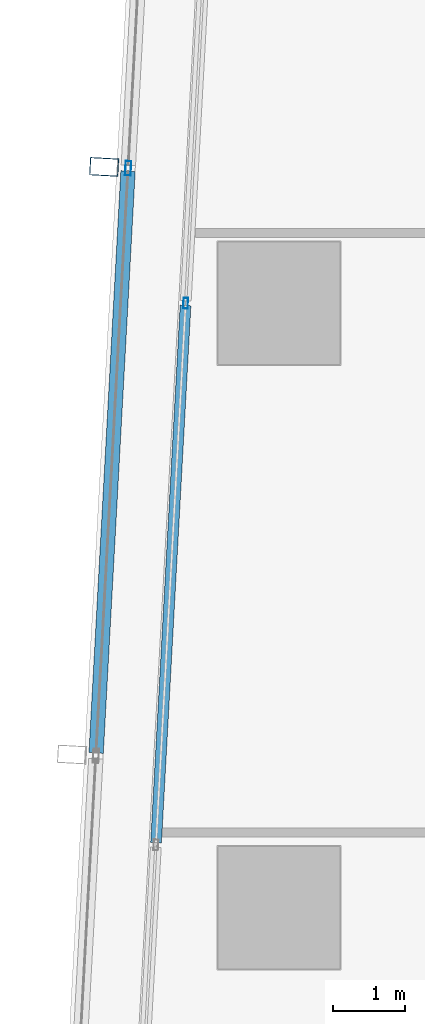
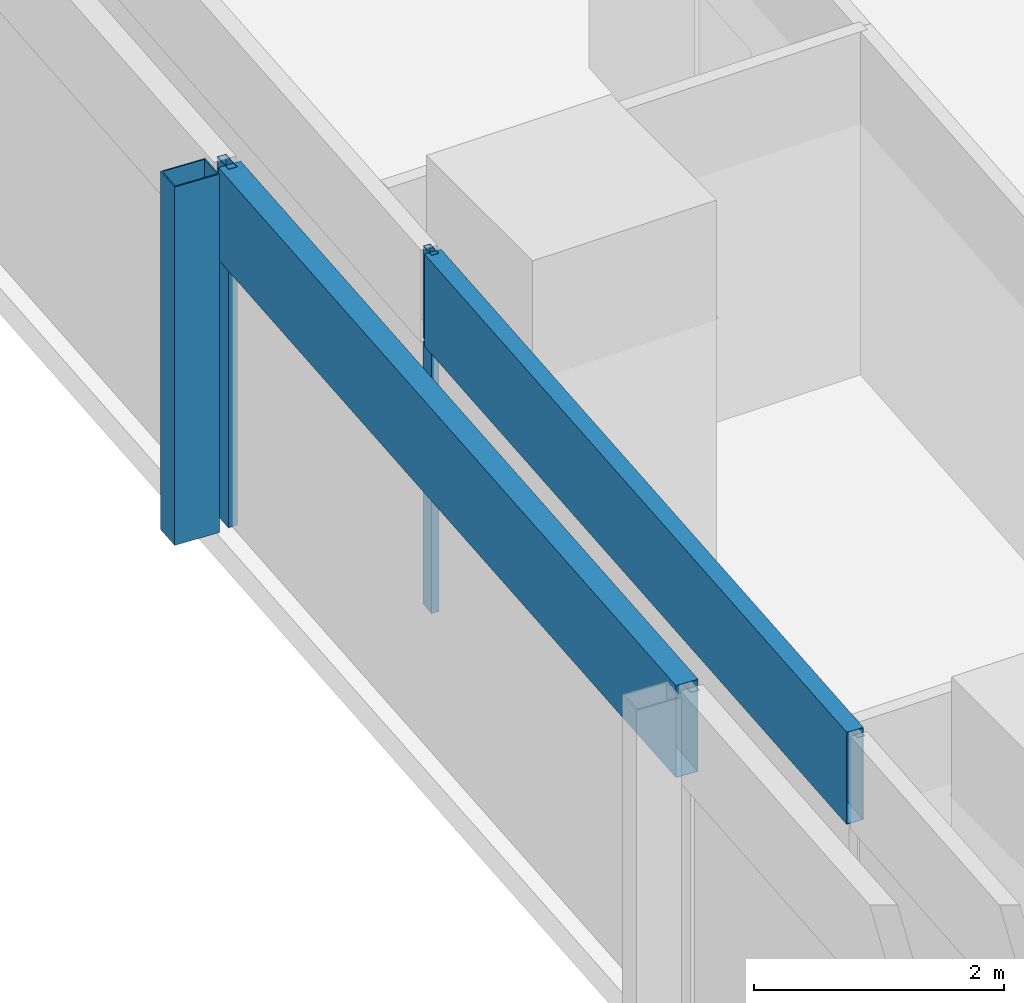
# One storey, part 14 of 40: 5 members, 2 elements without a shape of their own.
"""IFC4 building model written with IfcOpenShell, lengths in metres."""

from ifc_helpers import new_model, si_unit, direction, frame, origin, origin_2d, place, context, subcontext, project, spatial, hollow_rectangle, extrude, material, material_profile, profile_set, type_object, element, aggregate, save


model = new_model("IFC4")

# Units and contexts
model_context = context("Model", 3, precision=1e-05, world=origin(), true_north=direction((0.0, 1.0)))
body_context = subcontext(model_context, "Body", "Model", "MODEL_VIEW")
ifc_project = project(units=[si_unit("LENGTHUNIT", "METRE"), si_unit("AREAUNIT", "SQUARE_METRE"), si_unit("VOLUMEUNIT", "CUBIC_METRE"), si_unit("PLANEANGLEUNIT", "RADIAN"), si_unit("MASSUNIT", "GRAM", prefix="KILO")], contexts=[model_context])

# Site, building, storey
site_placement = place(None, origin())
site = spatial("IfcSite", under=ifc_project, at=site_placement, CompositionType="ELEMENT")
building_placement = place(site_placement, origin())
building = spatial("IfcBuilding", under=site, at=building_placement, Name="Rekha Terrace Tower", CompositionType="ELEMENT")
storey_placement = place(building_placement, frame((0.0, 0.0, 102.800048828125)))
storey = spatial("IfcBuildingStorey", under=building, at=storey_placement, Name="L25", CompositionType="ELEMENT", Elevation=102.800048828125)

# Curtain wall, member
ifc_material_1 = material(Name="Aluminium framing", Category="aluminium")
curtain_wall_type_1 = type_object("IfcCurtainWallType", Name="CW2 double skin outer glazing", PredefinedType="USERDEFINED", material=ifc_material_1)
curtain_wall_1_placement = place(storey_placement, origin())
curtain_wall_1 = element("IfcCurtainWall", 1, at=curtain_wall_1_placement, inside=storey, type_object=curtain_wall_type_1, Name="CW2 double skin outer glazing", ObjectType="DOUBLE SKIN OUTER GLAZING", PredefinedType="USERDEFINED")
ifc_material_2 = material(Name="Steel S355 with fluorocarbon finish", Category="steel")
ifc_material_profile_1 = material_profile(ifc_material_2, hollow_rectangle(XDim=0.25, YDim=0.39990234375, WallThickness=0.012451171875, at=origin_2d()), Name="RHS400x250x12.5")
ifc_profile_set_1 = profile_set([ifc_material_profile_1], Name="Steel S355 with fluorocarbon finish")
member_type_1 = type_object("IfcMemberType", Name="BL1 facade blade RHS 400 x 250", PredefinedType="USERDEFINED", material=ifc_profile_set_1)
member_1_placement = place(storey_placement, frame((5.969482421875, 52.29638671875, 0.0), z_axis=(0.0, 0.0, 1.0), x_axis=(-0.054742798353, -0.998500488747, 0.0)))
member_1 = element("IfcMember", 2, at=member_1_placement, type_object=member_type_1, Name="Facade blade", ObjectType="FACADE BLADE", PredefinedType="USERDEFINED", context=body_context, shape_type="SweptSolid", body=[
    extrude(hollow_rectangle(XDim=0.25, YDim=0.39990234375, WallThickness=0.012451171875, at=origin_2d()), origin(), (0.0, 0.0, 1.0), 3.5),
])

# Curtain wall, members
curtain_wall_type_2 = type_object("IfcCurtainWallType", Name="CW1 double skin inner glazing", PredefinedType="USERDEFINED", material=ifc_material_1)
curtain_wall_2_placement = place(storey_placement, origin())
curtain_wall_2 = element("IfcCurtainWall", 3, at=curtain_wall_2_placement, inside=storey, type_object=curtain_wall_type_2, Name="CW1 double skin inner glazing", ObjectType="DOUBLE SKIN INNER GLAZING", PredefinedType="USERDEFINED")
ifc_material_3 = material(Name="Aluminium mullion section", Category="aluminium")
ifc_material_profile_2 = material_profile(ifc_material_3, hollow_rectangle(XDim=0.06494140625, YDim=0.14990234375, WallThickness=0.00390625, at=origin_2d()), Name="AL RHS 65x150")
ifc_profile_set_2 = profile_set([ifc_material_profile_2], Name="Aluminium mullion section")
member_type_2 = type_object("IfcMemberType", Name="CW1 mullion RHS 65 x 150", PredefinedType="MULLION", material=ifc_profile_set_2)
member_2_placement = place(storey_placement, frame((7.1025390625, 50.40234375, 0.0), z_axis=(0.0, 0.0, 1.0), x_axis=(0.99850051318, -0.054742352707, 0.0)))
member_2 = element("IfcMember", 4, at=member_2_placement, type_object=member_type_2, Name="CW1 mullion 2", PredefinedType="MULLION", context=body_context, shape_type="SweptSolid", body=[
    extrude(hollow_rectangle(XDim=0.06494140625, YDim=0.14990234375, WallThickness=0.00390625, at=origin_2d()), origin(), (0.0, 0.0, 1.0), 3.5),
])
ifc_material_4 = material(Name="Insulated aluminium spandrel box", Category="aluminium")
ifc_material_profile_3 = material_profile(ifc_material_4, hollow_rectangle(XDim=0.14990234375, YDim=0.89990234375, WallThickness=0.0029296875, at=origin_2d()), Name="AL SPANDREL BOX 150x900")
ifc_profile_set_3 = profile_set([ifc_material_profile_3], Name="Insulated aluminium spandrel box")
member_type_3 = type_object("IfcMemberType", Name="CW1 spandrel transom 150 x 900", PredefinedType="USERDEFINED", material=ifc_profile_set_3)
member_3_placement = place(storey_placement, frame((7.100830078125, 50.369873046875, 3.050048828125), z_axis=(-0.054764629515, -0.998499291614, 0.0), x_axis=(0.998499291614, -0.054764629515, 0.0)))
member_3 = element("IfcMember", 5, at=member_3_placement, type_object=member_type_3, Name="CW1 spandrel transom 2", ObjectType="TRANSOM", PredefinedType="USERDEFINED", context=body_context, shape_type="SweptSolid", body=[
    extrude(hollow_rectangle(XDim=0.14990234375, YDim=0.89990234375, WallThickness=0.0029296875, at=origin_2d()), origin(), (0.0, 0.0, 1.0), 7.47607421875),
])
aggregate(curtain_wall_2, [member_2, member_3])

# Member
ifc_material_profile_4 = material_profile(ifc_material_3, hollow_rectangle(XDim=0.080078125, YDim=0.199951171875, WallThickness=0.00390625, at=origin_2d()), Name="AL RHS 80x200")
ifc_profile_set_4 = profile_set([ifc_material_profile_4], Name="Aluminium mullion section")
member_type_4 = type_object("IfcMemberType", Name="CW2 mullion RHS 80 x 200", PredefinedType="MULLION", material=ifc_profile_set_4)
member_4_placement = place(storey_placement, frame((6.303955078125, 52.278076171875, 0.0), z_axis=(0.0, 0.0, 1.0), x_axis=(0.99850051318, -0.054742352707, 0.0)))
member_4 = element("IfcMember", 6, at=member_4_placement, type_object=member_type_4, Name="CW2 mullion 2", PredefinedType="MULLION", context=body_context, shape_type="SweptSolid", body=[
    extrude(hollow_rectangle(XDim=0.080078125, YDim=0.199951171875, WallThickness=0.00390625, at=origin_2d()), origin(), (0.0, 0.0, 1.0), 3.5),
])

ifc_material_profile_5 = material_profile(ifc_material_4, hollow_rectangle(XDim=0.199951171875, YDim=0.89990234375, WallThickness=0.0029296875, at=origin_2d()), Name="AL SPANDREL BOX 200x900")
ifc_profile_set_5 = profile_set([ifc_material_profile_5], Name="Insulated aluminium spandrel box")
member_type_5 = type_object("IfcMemberType", Name="CW2 spandrel transom 200 x 900", PredefinedType="USERDEFINED", material=ifc_profile_set_5)
member_5_placement = place(storey_placement, frame((6.3017578125, 52.23828125, 3.050048828125), z_axis=(-0.054735499102, -0.998500888902, 0.0), x_axis=(0.998500888902, -0.054735499102, 0.0)))
member_5 = element("IfcMember", 7, at=member_5_placement, type_object=member_type_5, Name="CW2 spandrel transom 2", ObjectType="TRANSOM", PredefinedType="USERDEFINED", context=body_context, shape_type="SweptSolid", body=[
    extrude(hollow_rectangle(XDim=0.199951171875, YDim=0.89990234375, WallThickness=0.0029296875, at=origin_2d()), origin(), (0.0, 0.0, 1.0), 8.10009765625),
])

aggregate(curtain_wall_1, [member_4, member_5, member_1])

save(model, "model.ifc")
